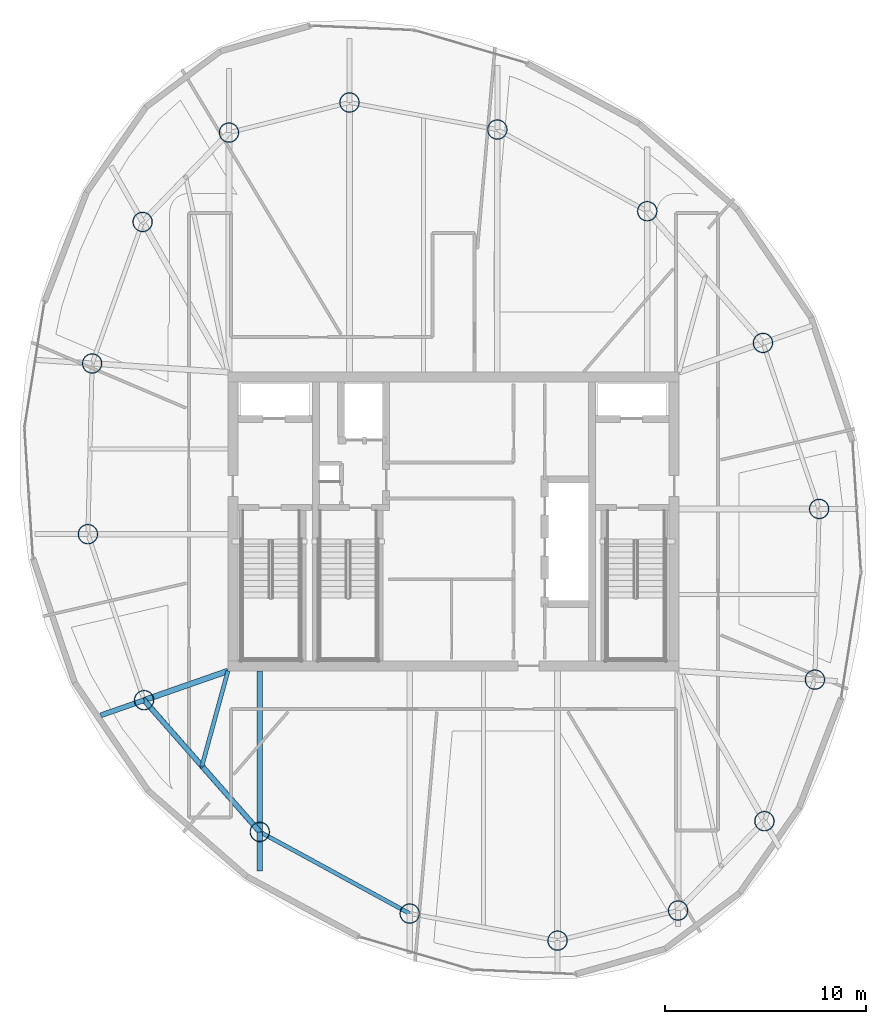
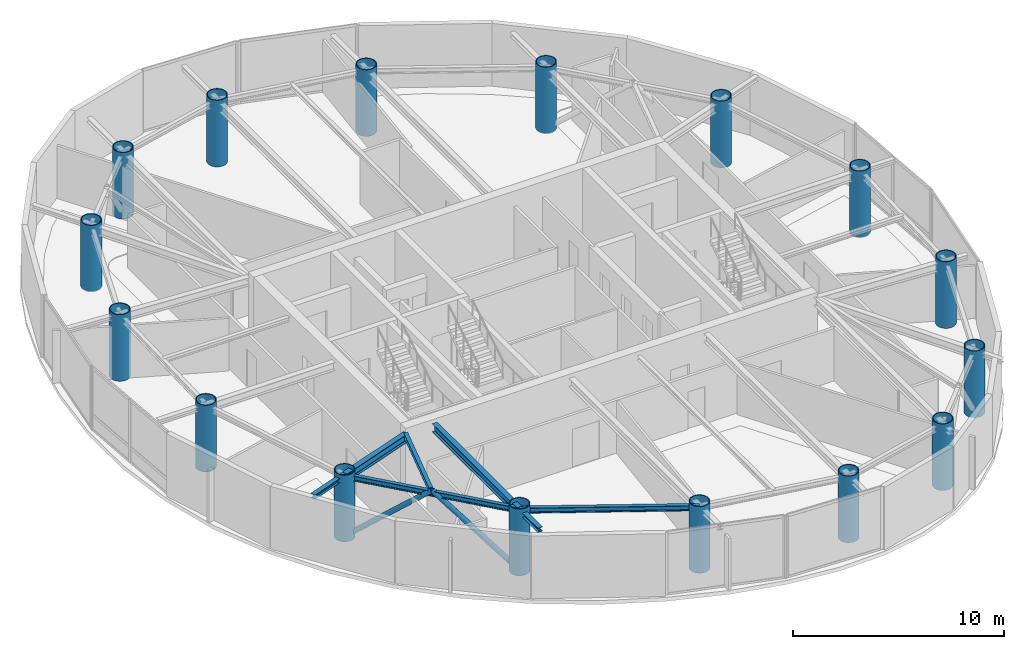
# One storey, part 1 of 18: 16 columns, 7 beams, 2 members.
"""IFC4 building model written with IfcOpenShell, lengths in metres."""

from ifc_helpers import new_model, si_unit, direction, frame, origin, origin_2d, place, context, subcontext, project, spatial, hollow_circle, i_section, extrude, material, material_profile, profile_set, type_object, element, save


model = new_model("IFC4")

# Units and contexts
model_context = context("Model", 3, precision=1e-05, world=origin(), true_north=direction((0.0, 1.0)))
body_context = subcontext(model_context, "Body", "Model", "MODEL_VIEW")
ifc_project = project(units=[si_unit("LENGTHUNIT", "METRE"), si_unit("AREAUNIT", "SQUARE_METRE"), si_unit("VOLUMEUNIT", "CUBIC_METRE"), si_unit("PLANEANGLEUNIT", "RADIAN"), si_unit("MASSUNIT", "GRAM", prefix="KILO")], contexts=[model_context])

# Site, building, storey
site_placement = place(None, origin())
site = spatial("IfcSite", under=ifc_project, at=site_placement, CompositionType="ELEMENT")
building_placement = place(site_placement, origin())
building = spatial("IfcBuilding", under=site, at=building_placement, Name="Bramvorn Convention Spire", CompositionType="ELEMENT")
storey_placement = place(building_placement, frame((0.0, 0.0, 288.25)))
storey = spatial("IfcBuildingStorey", under=building, at=storey_placement, Name="L73", CompositionType="ELEMENT", Elevation=288.25)

# Columns
ifc_material = material(Name="Steel CSA G40.21 Grade 350 (350W)", Category="steel")
ifc_material_profile_1 = material_profile(ifc_material, hollow_circle(Radius=0.5, WallThickness=0.044921875, at=origin_2d()))
ifc_profile_set_1 = profile_set([ifc_material_profile_1], Name="Steel CSA G40.21 Grade 350 (350W) - CFT1000X45")
column_type = type_object("IfcColumnType", Name="COL-CFT1000X45", PredefinedType="COLUMN", material=ifc_profile_set_1)
for number, where, z_axis, x_axis, name in (
    (1, (49.199951171875, 6.60107421875, 0.0), (0.0, 0.0, 1.0), (1.0, 0.0, 0.0), "L73 composite CFT mega-column MC01"),
    (2, (53.50634765625, 11.05615234375, 0.0), (0.0, 0.0, 1.0), (1.0, 0.0, 0.0), "L73 composite CFT mega-column MC02"),
    (3, (56.023681640625, 18.116455078125, 0.0), (0.0, 0.0, 1.0), (1.0, 0.0, 0.0), "L73 composite CFT mega-column MC03"),
    (4, (56.234619140625, 26.62939453125, 0.0), (0.0, 0.0, 1.0), (1.0, 0.0, 0.0), "L73 composite CFT mega-column MC04"),
    (5, (53.4326171875, 34.909912109375, 0.0), (0.0, 0.0, 1.0), (1.0, 0.0, 0.0), "L73 composite CFT mega-column MC05"),
    (6, (47.662353515625, 41.476806640625, 0.0), (0.0, 0.0, 1.0), (1.0, 0.0, 0.0), "L73 composite CFT mega-column MC06"),
    (7, (40.1845703125, 45.55078125, 0.0), (0.0, 0.0, 1.0), (1.0, 0.0, 0.0), "L73 composite CFT mega-column MC07"),
    (8, (32.8115234375, 46.90087890625, 0.0), (0.0, 0.0, 1.0), (1.0, 0.0, 0.0), "L73 composite CFT mega-column MC08"),
    (9, (26.800048828125, 45.39892578125, 0.0), (0.0, 0.0, 1.0), (1.0, 0.0, 0.0), "L73 composite CFT mega-column MC09"),
    (10, (22.49365234375, 40.94384765625, 0.0), (0.0, 0.0, 1.0), (1.0, 0.0, 0.0), "L73 composite CFT mega-column MC10"),
    (11, (19.976318359375, 33.883544921875, 0.0), (0.0, 0.0, 1.0), (1.0, 0.0, 0.0), "L73 composite CFT mega-column MC11"),
    (12, (19.765380859375, 25.37060546875, 0.0), (0.0, 0.0, 1.0), (1.0, 0.0, 0.0), "L73 composite CFT mega-column MC12"),
    (13, (22.5673828125, 17.090087890625, 0.0), (0.0, 0.0, 1.0), (1.0, 0.0, 0.0), "L73 composite CFT mega-column MC13"),
    (14, (28.337646484375, 10.523193359375, 0.0), (0.0, 0.0, 1.0), (1.0, 0.0, 0.0), "L73 composite CFT mega-column MC14"),
    (15, (35.8154296875, 6.44921875, 0.0), (0.0, 0.0, 1.0), (1.0, 0.0, 0.0), "L73 composite CFT mega-column MC15"),
    (16, (43.1884765625, 5.09912109375, 0.0), (0.0, 0.0, 1.0), (1.0, 0.0, 0.0), "L73 composite CFT mega-column MC16"),
):
    element("IfcColumn", number, at=place(storey_placement, frame(where, z_axis=z_axis, x_axis=x_axis)), inside=storey, type_object=column_type, Name=name, PredefinedType="COLUMN", context=body_context, shape_type="SweptSolid", body=[
        extrude(hollow_circle(Radius=0.5, WallThickness=0.044921875, at=origin_2d()), origin(), (0.0, 0.0, 1.0), 3.85009765625),
    ])

# Beams
ifc_material_profile_2 = material_profile(ifc_material, i_section(OverallWidth=0.201904296875, OverallDepth=0.2470703125, WebThickness=0.00732421875, FlangeThickness=0.010986328125, FilletRadius=0.011962890625, at=origin_2d()))
ifc_profile_set_2 = profile_set([ifc_material_profile_2], Name="Steel CSA G40.21 Grade 350 (350W) - W250X49")
beam_type_1 = type_object("IfcBeamType", Name="BM-W250X49", PredefinedType="JOIST", material=ifc_profile_set_2)
beam_1_placement = place(storey_placement, frame((26.75, 18.550048828125, 3.50146484375), z_axis=(-0.26386506219, -0.96455960363, 0.0), x_axis=(0.96455960363, -0.26386506219, 0.0)))
element("IfcBeam", 17, at=beam_1_placement, inside=storey, type_object=beam_type_1, Name="L73 composite floor joist 13", PredefinedType="JOIST", context=body_context, shape_type="SweptSolid", body=[
    extrude(i_section(OverallWidth=0.201904296875, OverallDepth=0.2470703125, WebThickness=0.00732421875, FlangeThickness=0.010986328125, FilletRadius=0.011962890625, at=origin_2d()), origin(), (0.0, 0.0, 1.0), 4.917724609375),
])
ifc_material_profile_3 = material_profile(ifc_material, i_section(OverallWidth=0.25390625, OverallDepth=0.2529296875, WebThickness=0.008544921875, FlangeThickness=0.01416015625, FilletRadius=0.011962890625, at=origin_2d()))
ifc_profile_set_3 = profile_set([ifc_material_profile_3], Name="Steel CSA G40.21 Grade 350 (350W) - W250X73")
beam_type_2 = type_object("IfcBeamType", Name="BM-W250X73", PredefinedType="BEAM", material=ifc_profile_set_3)
beam_2_placement = place(storey_placement, frame((22.5673828125, 17.090087890625, 3.49853515625), z_axis=(-0.944133867613, -0.329562194475, 0.0), x_axis=(0.329562194475, -0.944133867613, 0.0)))
element("IfcBeam", 18, at=beam_2_placement, inside=storey, type_object=beam_type_2, Name="L73 slab-edge cantilever tip beam MC13", PredefinedType="BEAM", context=body_context, shape_type="SweptSolid", body=[
    extrude(i_section(OverallWidth=0.25390625, OverallDepth=0.2529296875, WebThickness=0.008544921875, FlangeThickness=0.01416015625, FilletRadius=0.011962890625, at=origin_2d()), origin(), (0.0, 0.0, 1.0), 2.29052734375),
])
beam_3_placement = place(storey_placement, frame((28.337646484375, 10.523193359375, 3.49853515625), z_axis=(0.0, -1.0, 0.0), x_axis=(1.0, 0.0, 0.0)))
element("IfcBeam", 19, at=beam_3_placement, inside=storey, type_object=beam_type_2, Name="L73 slab-edge cantilever tip beam MC14", PredefinedType="BEAM", context=body_context, shape_type="SweptSolid", body=[
    extrude(i_section(OverallWidth=0.25390625, OverallDepth=0.2529296875, WebThickness=0.008544921875, FlangeThickness=0.01416015625, FilletRadius=0.011962890625, at=origin_2d()), origin(), (0.0, 0.0, 1.0), 1.9453125),
])
ifc_material_profile_4 = material_profile(ifc_material, i_section(OverallWidth=0.202880859375, OverallDepth=0.302978515625, WebThickness=0.007568359375, FlangeThickness=0.01318359375, FilletRadius=0.013916015625, at=origin_2d()))
ifc_profile_set_4 = profile_set([ifc_material_profile_4], Name="Steel CSA G40.21 Grade 350 (350W) - W310X60")
beam_type_3 = type_object("IfcBeamType", Name="BM-W310X60", PredefinedType="JOIST", material=ifc_profile_set_4)
beam_4_placement = place(storey_placement, frame((22.5673828125, 17.090087890625, 3.473388671875), z_axis=(0.660073062339, -0.751201405999, 0.0), x_axis=(0.751201405999, 0.660073062339, 0.0)))
element("IfcBeam", 20, at=beam_4_placement, inside=storey, type_object=beam_type_3, Name="L73 mega-column ring beam 13", PredefinedType="JOIST", context=body_context, shape_type="SweptSolid", body=[
    extrude(i_section(OverallWidth=0.202880859375, OverallDepth=0.302978515625, WebThickness=0.007568359375, FlangeThickness=0.01318359375, FilletRadius=0.013916015625, at=origin_2d()), origin(), (0.0, 0.0, 1.0), 8.741943359375),
])
beam_5_placement = place(storey_placement, frame((28.337646484375, 10.523193359375, 3.473388671875), z_axis=(0.878133224771, -0.478416178189, 0.0), x_axis=(0.478416178189, 0.878133224771, 0.0)))
element("IfcBeam", 21, at=beam_5_placement, inside=storey, type_object=beam_type_3, Name="L73 mega-column ring beam 14", PredefinedType="JOIST", context=body_context, shape_type="SweptSolid", body=[
    extrude(i_section(OverallWidth=0.202880859375, OverallDepth=0.302978515625, WebThickness=0.007568359375, FlangeThickness=0.01318359375, FilletRadius=0.013916015625, at=origin_2d()), origin(), (0.0, 0.0, 1.0), 8.515625),
])
ifc_material_profile_5 = material_profile(ifc_material, i_section(OverallWidth=0.283935546875, OverallDepth=0.47607421875, WebThickness=0.014892578125, FlangeThickness=0.02392578125, FilletRadius=0.01806640625, at=origin_2d()))
ifc_profile_set_5 = profile_set([ifc_material_profile_5], Name="Steel CSA G40.21 Grade 350 (350W) - W460X158")
beam_type_4 = type_object("IfcBeamType", Name="BM-W460X158", PredefinedType="SPANDREL", material=ifc_profile_set_5)
beam_6_placement = place(storey_placement, frame((26.75, 18.550048828125, 3.386962890625), z_axis=(-0.944136391877, -0.329554962843, 0.0), x_axis=(0.329554962843, -0.944136391877, 0.0)))
element("IfcBeam", 22, at=beam_6_placement, inside=storey, type_object=beam_type_4, Name="L73 radial floor girder MC13", PredefinedType="SPANDREL", context=body_context, shape_type="SweptSolid", body=[
    extrude(i_section(OverallWidth=0.283935546875, OverallDepth=0.47607421875, WebThickness=0.014892578125, FlangeThickness=0.02392578125, FilletRadius=0.01806640625, at=origin_2d()), origin(), (0.0, 0.0, 1.0), 4.43017578125),
])
beam_7_placement = place(storey_placement, frame((28.337646484375, 18.550048828125, 3.386962890625), z_axis=(0.0, -1.0, 0.0), x_axis=(1.0, 0.0, 0.0)))
element("IfcBeam", 23, at=beam_7_placement, inside=storey, type_object=beam_type_4, Name="L73 radial floor girder MC14", PredefinedType="SPANDREL", context=body_context, shape_type="SweptSolid", body=[
    extrude(i_section(OverallWidth=0.283935546875, OverallDepth=0.47607421875, WebThickness=0.014892578125, FlangeThickness=0.02392578125, FilletRadius=0.01806640625, at=origin_2d()), origin(), (0.0, 0.0, 1.0), 8.02685546875),
])

# Members
ifc_material_profile_6 = material_profile(ifc_material, hollow_circle(Radius=0.136474609375, WallThickness=0.0126953125, at=origin_2d()))
ifc_profile_set_6 = profile_set([ifc_material_profile_6], Name="Steel CSA G40.21 Grade 350 (350W) - CHS273X13")
member_type = type_object("IfcMemberType", Name="MBR-CHS273X13", PredefinedType="BRACE", material=ifc_profile_set_6)
for number, where, z_axis, x_axis, name in (
    (24, (22.5673828125, 17.090087890625, 0.0), (0.508061812102, -0.578228256829, 0.63837706576), (0.751215254017, 0.660057302158, 0.0), "L73 perimeter Gothic lancet brace 13A"),
    (25, (28.337646484375, 10.523193359375, 0.0), (-0.50809370726, 0.578215626074, 0.63836312112), (-0.751187558161, -0.660088821648, 0.0), "L73 perimeter Gothic lancet brace 13B"),
):
    element("IfcMember", number, at=place(storey_placement, frame(where, z_axis=z_axis, x_axis=x_axis)), inside=storey, type_object=member_type, Name=name, PredefinedType="BRACE", context=body_context, shape_type="SweptSolid", body=[
        extrude(hollow_circle(Radius=0.136474609375, WallThickness=0.0126953125, at=origin_2d()), origin(), (0.0, 0.0, 1.0), 5.678466796875),
    ])

save(model, "model.ifc")
